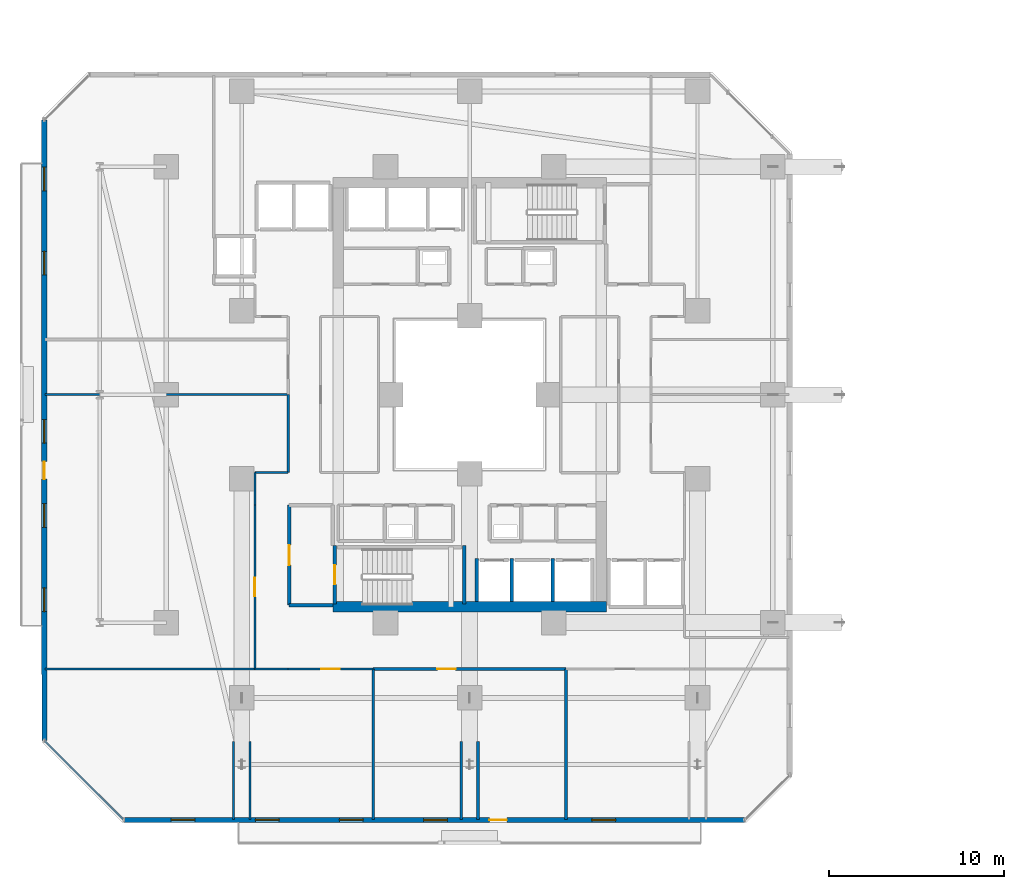
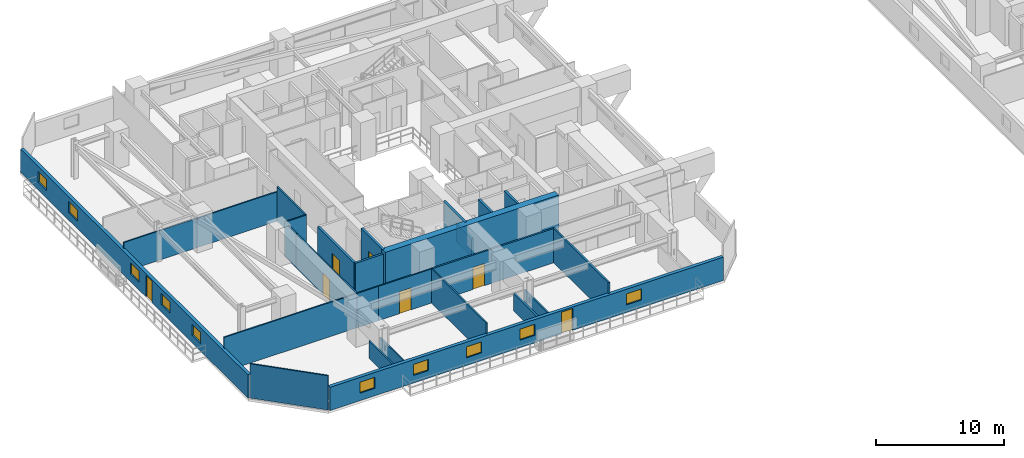
# One storey, part 21 of 36: 26 walls, 10 windows, 7 doors, 17 openings.
"""IFC4 building model written with IfcOpenShell, lengths in metres."""

from ifc_helpers import new_model, si_unit, direction, frame, frame_2d, origin, place, context, subcontext, project, spatial, rectangle, extrude, material, layer, layer_set, type_object, element, fill, save


model = new_model("IFC4")

# Units and contexts
model_context = context("Model", 3, precision=1e-05, world=origin(), true_north=direction((0.0, 1.0)))
body_context = subcontext(model_context, "Body", "Model", "MODEL_VIEW")
ifc_project = project(units=[si_unit("LENGTHUNIT", "METRE"), si_unit("AREAUNIT", "SQUARE_METRE"), si_unit("VOLUMEUNIT", "CUBIC_METRE"), si_unit("PLANEANGLEUNIT", "RADIAN"), si_unit("MASSUNIT", "GRAM", prefix="KILO")], contexts=[model_context])

# Site, building, storey
site_placement = place(None, origin())
site = spatial("IfcSite", under=ifc_project, at=site_placement, CompositionType="ELEMENT")
building_placement = place(site_placement, origin())
building = spatial("IfcBuilding", under=site, at=building_placement, Name="Thornwick Lancets Civic Towers", CompositionType="ELEMENT")
storey_placement = place(building_placement, frame((0.0, 0.0, 45.89990234375)))
storey = spatial("IfcBuildingStorey", under=building, at=storey_placement, Name="L11", CompositionType="ELEMENT", Elevation=45.89990234375)

# Walls
ifc_material_1 = material(Name="Concrete blockwork C40/50", Category="masonry")
ifc_layer_1 = layer(ifc_material_1, 0.199951171875, Name="Concrete blockwork C40/50")
ifc_layer_set_1 = layer_set([ifc_layer_1], Name="Concrete blockwork C40/50")
wall_type_1 = type_object("IfcWallType", Name="WALL_COMP_200", PredefinedType="STANDARD", material=ifc_layer_set_1)
wall_1_placement = place(storey_placement, frame((27.89990234375, 15.2119140625, 0.0), z_axis=(0.0, 0.0, 1.0), x_axis=(0.0, 1.0, 0.0)))
element("IfcWall", 1, at=wall_1_placement, inside=storey, type_object=wall_type_1, Name="L11 Hoistway Shaft Wall FL-A1 E", PredefinedType="STANDARD", context=body_context, shape_type="SweptSolid", body=[
    extrude(rectangle(XDim=2.43603515625, YDim=0.199951171875, at=frame_2d((1.218017578125, 0.0))), origin(), (0.0, 0.0, 1.0), 3.260009765625),
])
wall_2_placement = place(storey_placement, frame((25.89990234375, 15.2119140625, 0.0), z_axis=(0.0, 0.0, 1.0), x_axis=(0.0, 1.0, 0.0)))
element("IfcWall", 2, at=wall_2_placement, inside=storey, type_object=wall_type_1, Name="L11 Hoistway Shaft Wall FL-A1 W", PredefinedType="STANDARD", context=body_context, shape_type="SweptSolid", body=[
    extrude(rectangle(XDim=2.43603515625, YDim=0.199951171875, at=frame_2d((1.218017578125, 0.0))), origin(), (0.0, 0.0, 1.0), 1.68505859375),
])
wall_3_placement = place(storey_placement, frame((30.25, 15.2119140625, 0.0), z_axis=(0.0, 0.0, 1.0), x_axis=(0.0, 1.0, 0.0)))
element("IfcWall", 3, at=wall_3_placement, inside=storey, type_object=wall_type_1, Name="L11 Hoistway Shaft Wall PL-AH1 E", PredefinedType="STANDARD", context=body_context, shape_type="SweptSolid", body=[
    extrude(rectangle(XDim=2.43603515625, YDim=0.199951171875, at=frame_2d((1.218017578125, 0.0))), origin(), (0.0, 0.0, 1.0), 3.260009765625),
])
wall_4_placement = place(storey_placement, frame((15.199951171875, 15.0, 0.0), z_axis=(0.0, 0.0, 1.0), x_axis=(1.0, 0.0, 0.0)))
element("IfcWall", 4, at=wall_4_placement, inside=storey, type_object=wall_type_1, Name="L11 Partition L11-A-FFLOB1 E1", PredefinedType="STANDARD", context=body_context, shape_type="SweptSolid", body=[
    extrude(rectangle(XDim=2.5, YDim=0.199951171875, at=frame_2d((1.25, 0.0))), origin(), (0.0, 0.0, 1.0), 3.260009765625),
])

# Wall, opening, door
wall_5_placement = place(storey_placement, frame((15.199951171875, 20.699951171875, 0.0), z_axis=(0.0, 0.0, 1.0), x_axis=(0.0, -1.0, 0.0)))
wall_5 = element("IfcWall", 5, at=wall_5_placement, inside=storey, type_object=wall_type_1, Name="L11 Partition L11-A-FFLOB1 E4", PredefinedType="STANDARD", context=body_context, shape_type="SweptSolid", body=[
    extrude(rectangle(XDim=5.699951171875, YDim=0.199951171875, at=frame_2d((2.85009765625, 0.0))), origin(), (0.0, 0.0, 1.0), 3.260009765625),
])
opening_1_placement = place(wall_5_placement, frame((2.27490234375, 0.0, 0.0)))
opening_1 = element("IfcOpeningElement", 6, at=opening_1_placement, cuts=wall_5, Name="Opening D-L11-0537", PredefinedType="OPENING", context=body_context, shape_type="SweptSolid", body=[
    extrude(rectangle(XDim=1.14990234375, YDim=2.10009765625, at=frame_2d((0.574951171875, 1.050048828125))), frame((0.0, 0.10986328125, 0.0), z_axis=(0.0, -1.0, 0.0), x_axis=(1.0, 0.0, 0.0)), (0.0, 0.0, 1.0), 0.219970703125),
])
ifc_material_2 = material(Name="Glazed fire-resisting steel", Category="steel")
door_type_1 = type_object("IfcDoorType", Name="DOOR_LOBBY_FD60", OperationType="NOTDEFINED", PredefinedType="DOOR", material=ifc_material_2)
door_1_placement = place(opening_1_placement, origin())
door_1 = element("IfcDoor", 7, at=door_1_placement, inside=storey, type_object=door_type_1, Name="L11 South Firefighting Lobby 1 Door", OperationType="SINGLE_SWING_RIGHT", OverallHeight=2.10009765625, OverallWidth=1.14990234375, PredefinedType="DOOR", context=body_context, shape_type="SweptSolid", body=[
    extrude(rectangle(XDim=1.14990234375, YDim=2.10009765625, at=frame_2d((0.574951171875, 1.050048828125))), frame((0.0, 0.02490234375, 0.0), z_axis=(0.0, -1.0, 0.0), x_axis=(1.0, 0.0, 0.0)), (0.0, 0.0, 1.0), 0.050048828125),
])
fill(opening_1, door_1)

# Wall
ifc_material_3 = material(Name="Concrete C60/75", Category="concrete")
ifc_layer_2 = layer(ifc_material_3, 0.60009765625, Name="Concrete C60/75")
ifc_layer_set_2 = layer_set([ifc_layer_2], Name="Concrete C60/75")
wall_type_2 = type_object("IfcWallType", Name="WALL_CORE_600", PredefinedType="SHEAR", material=ifc_layer_set_2)
wall_6_placement = place(storey_placement, frame((17.699951171875, 14.89990234375, 0.0), z_axis=(0.0, 0.0, 1.0), x_axis=(1.0, 0.0, 0.0)))
element("IfcWall", 8, at=wall_6_placement, inside=storey, type_object=wall_type_2, Name="L11 Split Core A1 Shear Wall S", PredefinedType="SHEAR", context=body_context, shape_type="SweptSolid", body=[
    extrude(rectangle(XDim=15.60009765625, YDim=0.60009765625, at=frame_2d((7.800048828125, 0.0))), origin(), (0.0, 0.0, 1.0), 3.60009765625),
])

# Wall, openings, door, windows
ifc_material_4 = material(Name="Insulated russet terracotta rainscreen on concrete C40/50", Category="masonry")
ifc_layer_3 = layer(ifc_material_4, 0.300048828125, Name="Insulated russet terracotta rainscreen on concrete C40/50")
ifc_layer_set_3 = layer_set([ifc_layer_3], Name="Insulated russet terracotta rainscreen on concrete C40/50")
wall_type_3 = type_object("IfcWallType", Name="WALL_EXT_RUSSET_300", PredefinedType="STANDARD", material=ifc_layer_set_3)
wall_7_placement = place(storey_placement, frame((5.775390625, 2.741455078125, 0.0), z_axis=(0.0, 0.0, 1.0), x_axis=(0.999999983929, -0.00017928314, 0.0)))
wall_7 = element("IfcWall", 9, at=wall_7_placement, inside=storey, type_object=wall_type_3, Name="L11 Tower A Terracotta Facade Wall E0", PredefinedType="STANDARD", context=body_context, shape_type="SweptSolid", body=[
    extrude(rectangle(XDim=35.40576171875, YDim=0.300048828125, at=frame_2d((17.702880859375, 0.0))), origin(), (0.0, 0.0, 1.0), 2.22021484375),
])
opening_2_placement = place(wall_7_placement, frame((20.85302734375, 0.0, 0.0)))
opening_2 = element("IfcOpeningElement", 10, at=opening_2_placement, cuts=wall_7, Name="Opening D-BL-L11-AS", PredefinedType="OPENING", context=body_context, shape_type="SweptSolid", body=[
    extrude(rectangle(XDim=1.0, YDim=2.080078125, at=frame_2d((0.5, 1.0400390625))), frame((0.0, 0.16015625, 0.0), z_axis=(0.0, -1.0, 0.0), x_axis=(1.0, 0.0, 0.0)), (0.0, 0.0, 1.0), 0.320068359375),
])
opening_3_placement = place(wall_7_placement, frame((2.699951171875, 0.0, 0.719970703125)))
opening_3 = element("IfcOpeningElement", 11, at=opening_3_placement, cuts=wall_7, Name="Opening WL-03", PredefinedType="OPENING", context=body_context, shape_type="SweptSolid", body=[
    extrude(rectangle(XDim=1.35009765625, YDim=1.050048828125, at=frame_2d((0.675048828125, 0.52490234375))), frame((0.0, 0.16015625, 0.0), z_axis=(0.0, -1.0, 0.0), x_axis=(1.0, 0.0, 0.0)), (0.0, 0.0, 1.0), 0.320068359375),
])
opening_4_placement = place(wall_7_placement, frame((7.5, 0.0, 0.719970703125)))
opening_4 = element("IfcOpeningElement", 12, at=opening_4_placement, cuts=wall_7, Name="Opening WL-03", PredefinedType="OPENING", context=body_context, shape_type="SweptSolid", body=[
    extrude(rectangle(XDim=1.35009765625, YDim=1.050048828125, at=frame_2d((0.675048828125, 0.52490234375))), frame((0.0, 0.16015625, 0.0), z_axis=(0.0, -1.0, 0.0), x_axis=(1.0, 0.0, 0.0)), (0.0, 0.0, 1.0), 0.320068359375),
])
opening_5_placement = place(wall_7_placement, frame((12.300048828125, 0.0, 0.719970703125)))
opening_5 = element("IfcOpeningElement", 13, at=opening_5_placement, cuts=wall_7, Name="Opening WL-03", PredefinedType="OPENING", context=body_context, shape_type="SweptSolid", body=[
    extrude(rectangle(XDim=1.35009765625, YDim=1.050048828125, at=frame_2d((0.675048828125, 0.52490234375))), frame((0.0, 0.16015625, 0.0), z_axis=(0.0, -1.0, 0.0), x_axis=(1.0, 0.0, 0.0)), (0.0, 0.0, 1.0), 0.320068359375),
])
opening_6_placement = place(wall_7_placement, frame((17.10009765625, 0.0, 0.719970703125)))
opening_6 = element("IfcOpeningElement", 14, at=opening_6_placement, cuts=wall_7, Name="Opening WL-03", PredefinedType="OPENING", context=body_context, shape_type="SweptSolid", body=[
    extrude(rectangle(XDim=1.35009765625, YDim=1.050048828125, at=frame_2d((0.675048828125, 0.52490234375))), frame((0.0, 0.16015625, 0.0), z_axis=(0.0, -1.0, 0.0), x_axis=(1.0, 0.0, 0.0)), (0.0, 0.0, 1.0), 0.320068359375),
])
opening_7_placement = place(wall_7_placement, frame((26.699951171875, 0.0, 0.719970703125)))
opening_7 = element("IfcOpeningElement", 15, at=opening_7_placement, cuts=wall_7, Name="Opening WL-03", PredefinedType="OPENING", context=body_context, shape_type="SweptSolid", body=[
    extrude(rectangle(XDim=1.35009765625, YDim=1.050048828125, at=frame_2d((0.675048828125, 0.52490234375))), frame((0.0, 0.16015625, 0.0), z_axis=(0.0, -1.0, 0.0), x_axis=(1.0, 0.0, 0.0)), (0.0, 0.0, 1.0), 0.320068359375),
])
ifc_material_5 = material(Name="Thermally broken glazed loggia doorset")
door_type_2 = type_object("IfcDoorType", Name="DOOR_BALC_1000", OperationType="NOTDEFINED", PredefinedType="DOOR", material=ifc_material_5)
door_2_placement = place(opening_2_placement, origin())
door_2 = element("IfcDoor", 16, at=door_2_placement, inside=storey, type_object=door_type_2, Name="L11 Tower A Loggia Balcony Door S", OperationType="SINGLE_SWING_RIGHT", OverallHeight=2.080078125, OverallWidth=1.0, PredefinedType="DOOR", context=body_context, shape_type="SweptSolid", body=[
    extrude(rectangle(XDim=1.0, YDim=2.080078125, at=frame_2d((0.5, 1.0400390625))), frame((0.0, 0.02490234375, 0.0), z_axis=(0.0, -1.0, 0.0), x_axis=(1.0, 0.0, 0.0)), (0.0, 0.0, 1.0), 0.050048828125),
])
fill(opening_2, door_2)
ifc_material_6 = material(Name="Clear low-e double glazing clerestory lancet", Category="glass")
window_type = type_object("IfcWindowType", Name="WIN_LANCET_1350", PartitioningType="SINGLE_PANEL", PredefinedType="WINDOW", material=ifc_material_6)
window_1_placement = place(opening_3_placement, origin())
window_1 = element("IfcWindow", 17, at=window_1_placement, inside=storey, type_object=window_type, Name="L11 Tower A Staggered Lancet Window E0-1", OverallHeight=1.050048828125, OverallWidth=1.35009765625, PartitioningType="SINGLE_PANEL", PredefinedType="WINDOW", context=body_context, shape_type="SweptSolid", body=[
    extrude(rectangle(XDim=1.35009765625, YDim=1.050048828125, at=frame_2d((0.675048828125, 0.52490234375))), frame((0.0, 0.030029296875, 0.0), z_axis=(0.0, -1.0, 0.0), x_axis=(1.0, 0.0, 0.0)), (0.0, 0.0, 1.0), 0.06005859375),
])
fill(opening_3, window_1)
window_2_placement = place(opening_4_placement, origin())
window_2 = element("IfcWindow", 18, at=window_2_placement, inside=storey, type_object=window_type, Name="L11 Tower A Staggered Lancet Window E0-2", OverallHeight=1.050048828125, OverallWidth=1.35009765625, PartitioningType="SINGLE_PANEL", PredefinedType="WINDOW", context=body_context, shape_type="SweptSolid", body=[
    extrude(rectangle(XDim=1.35009765625, YDim=1.050048828125, at=frame_2d((0.675048828125, 0.52490234375))), frame((0.0, 0.030029296875, 0.0), z_axis=(0.0, -1.0, 0.0), x_axis=(1.0, 0.0, 0.0)), (0.0, 0.0, 1.0), 0.06005859375),
])
fill(opening_4, window_2)
window_3_placement = place(opening_5_placement, origin())
window_3 = element("IfcWindow", 19, at=window_3_placement, inside=storey, type_object=window_type, Name="L11 Tower A Staggered Lancet Window E0-3", OverallHeight=1.050048828125, OverallWidth=1.35009765625, PartitioningType="SINGLE_PANEL", PredefinedType="WINDOW", context=body_context, shape_type="SweptSolid", body=[
    extrude(rectangle(XDim=1.35009765625, YDim=1.050048828125, at=frame_2d((0.675048828125, 0.52490234375))), frame((0.0, 0.030029296875, 0.0), z_axis=(0.0, -1.0, 0.0), x_axis=(1.0, 0.0, 0.0)), (0.0, 0.0, 1.0), 0.06005859375),
])
fill(opening_5, window_3)
window_4_placement = place(opening_6_placement, origin())
window_4 = element("IfcWindow", 20, at=window_4_placement, inside=storey, type_object=window_type, Name="L11 Tower A Staggered Lancet Window E0-4", OverallHeight=1.050048828125, OverallWidth=1.35009765625, PartitioningType="SINGLE_PANEL", PredefinedType="WINDOW", context=body_context, shape_type="SweptSolid", body=[
    extrude(rectangle(XDim=1.35009765625, YDim=1.050048828125, at=frame_2d((0.675048828125, 0.52490234375))), frame((0.0, 0.030029296875, 0.0), z_axis=(0.0, -1.0, 0.0), x_axis=(1.0, 0.0, 0.0)), (0.0, 0.0, 1.0), 0.06005859375),
])
fill(opening_6, window_4)
window_5_placement = place(opening_7_placement, origin())
window_5 = element("IfcWindow", 21, at=window_5_placement, inside=storey, type_object=window_type, Name="L11 Tower A Staggered Lancet Window E0-5", OverallHeight=1.050048828125, OverallWidth=1.35009765625, PartitioningType="SINGLE_PANEL", PredefinedType="WINDOW", context=body_context, shape_type="SweptSolid", body=[
    extrude(rectangle(XDim=1.35009765625, YDim=1.050048828125, at=frame_2d((0.675048828125, 0.52490234375))), frame((0.0, 0.030029296875, 0.0), z_axis=(0.0, -1.0, 0.0), x_axis=(1.0, 0.0, 0.0)), (0.0, 0.0, 1.0), 0.06005859375),
])
fill(opening_7, window_5)

wall_8_placement = place(storey_placement, frame((1.235107421875, 42.68115234375, 0.0), z_axis=(0.0, 0.0, 1.0), x_axis=(0.00017928314, -0.999999983929, 0.0)))
wall_8 = element("IfcWall", 22, at=wall_8_placement, inside=storey, type_object=wall_type_3, Name="L11 Tower A Terracotta Facade Wall E6", PredefinedType="STANDARD", context=body_context, shape_type="SweptSolid", body=[
    extrude(rectangle(XDim=35.40576171875, YDim=0.300048828125, at=frame_2d((17.702880859375, 0.0))), origin(), (0.0, 0.0, 1.0), 2.22021484375),
])
opening_8_placement = place(wall_8_placement, frame((19.5029296875, 0.0, 0.0)))
opening_8 = element("IfcOpeningElement", 23, at=opening_8_placement, cuts=wall_8, Name="Opening D-BL-L11-AW", PredefinedType="OPENING", context=body_context, shape_type="SweptSolid", body=[
    extrude(rectangle(XDim=1.0, YDim=2.080078125, at=frame_2d((0.5, 1.0400390625))), frame((0.0, 0.16015625, 0.0), z_axis=(0.0, -1.0, 0.0), x_axis=(1.0, 0.0, 0.0)), (0.0, 0.0, 1.0), 0.320068359375),
])
opening_9_placement = place(wall_8_placement, frame((2.699951171875, 0.0, 0.719970703125)))
opening_9 = element("IfcOpeningElement", 24, at=opening_9_placement, cuts=wall_8, Name="Opening WL-03", PredefinedType="OPENING", context=body_context, shape_type="SweptSolid", body=[
    extrude(rectangle(XDim=1.35009765625, YDim=1.050048828125, at=frame_2d((0.675048828125, 0.52490234375))), frame((0.0, 0.16015625, 0.0), z_axis=(0.0, -1.0, 0.0), x_axis=(1.0, 0.0, 0.0)), (0.0, 0.0, 1.0), 0.320068359375),
])
opening_10_placement = place(wall_8_placement, frame((7.5, 0.0, 0.719970703125)))
opening_10 = element("IfcOpeningElement", 25, at=opening_10_placement, cuts=wall_8, Name="Opening WL-03", PredefinedType="OPENING", context=body_context, shape_type="SweptSolid", body=[
    extrude(rectangle(XDim=1.35009765625, YDim=1.050048828125, at=frame_2d((0.675048828125, 0.52490234375))), frame((0.0, 0.16015625, 0.0), z_axis=(0.0, -1.0, 0.0), x_axis=(1.0, 0.0, 0.0)), (0.0, 0.0, 1.0), 0.320068359375),
])
opening_11_placement = place(wall_8_placement, frame((17.10009765625, 0.0, 0.719970703125)))
opening_11 = element("IfcOpeningElement", 26, at=opening_11_placement, cuts=wall_8, Name="Opening WL-03", PredefinedType="OPENING", context=body_context, shape_type="SweptSolid", body=[
    extrude(rectangle(XDim=1.35009765625, YDim=1.050048828125, at=frame_2d((0.675048828125, 0.52490234375))), frame((0.0, 0.16015625, 0.0), z_axis=(0.0, -1.0, 0.0), x_axis=(1.0, 0.0, 0.0)), (0.0, 0.0, 1.0), 0.320068359375),
])
opening_12_placement = place(wall_8_placement, frame((21.89990234375, 0.0, 0.719970703125)))
opening_12 = element("IfcOpeningElement", 27, at=opening_12_placement, cuts=wall_8, Name="Opening WL-03", PredefinedType="OPENING", context=body_context, shape_type="SweptSolid", body=[
    extrude(rectangle(XDim=1.35009765625, YDim=1.050048828125, at=frame_2d((0.675048828125, 0.52490234375))), frame((0.0, 0.16015625, 0.0), z_axis=(0.0, -1.0, 0.0), x_axis=(1.0, 0.0, 0.0)), (0.0, 0.0, 1.0), 0.320068359375),
])
opening_13_placement = place(wall_8_placement, frame((26.699951171875, 0.0, 0.719970703125)))
opening_13 = element("IfcOpeningElement", 28, at=opening_13_placement, cuts=wall_8, Name="Opening WL-03", PredefinedType="OPENING", context=body_context, shape_type="SweptSolid", body=[
    extrude(rectangle(XDim=1.35009765625, YDim=1.050048828125, at=frame_2d((0.675048828125, 0.52490234375))), frame((0.0, 0.16015625, 0.0), z_axis=(0.0, -1.0, 0.0), x_axis=(1.0, 0.0, 0.0)), (0.0, 0.0, 1.0), 0.320068359375),
])
door_3_placement = place(opening_8_placement, origin())
door_3 = element("IfcDoor", 29, at=door_3_placement, inside=storey, type_object=door_type_2, Name="L11 Tower A Loggia Balcony Door W", OperationType="SINGLE_SWING_RIGHT", OverallHeight=2.080078125, OverallWidth=1.0, PredefinedType="DOOR", context=body_context, shape_type="SweptSolid", body=[
    extrude(rectangle(XDim=1.0, YDim=2.080078125, at=frame_2d((0.5, 1.0400390625))), frame((0.0, 0.02490234375, 0.0), z_axis=(0.0, -1.0, 0.0), x_axis=(1.0, 0.0, 0.0)), (0.0, 0.0, 1.0), 0.050048828125),
])
fill(opening_8, door_3)
window_6_placement = place(opening_9_placement, origin())
window_6 = element("IfcWindow", 30, at=window_6_placement, inside=storey, type_object=window_type, Name="L11 Tower A Staggered Lancet Window E6-1", OverallHeight=1.050048828125, OverallWidth=1.35009765625, PartitioningType="SINGLE_PANEL", PredefinedType="WINDOW", context=body_context, shape_type="SweptSolid", body=[
    extrude(rectangle(XDim=1.35009765625, YDim=1.050048828125, at=frame_2d((0.675048828125, 0.52490234375))), frame((0.0, 0.030029296875, 0.0), z_axis=(0.0, -1.0, 0.0), x_axis=(1.0, 0.0, 0.0)), (0.0, 0.0, 1.0), 0.06005859375),
])
fill(opening_9, window_6)
window_7_placement = place(opening_10_placement, origin())
window_7 = element("IfcWindow", 31, at=window_7_placement, inside=storey, type_object=window_type, Name="L11 Tower A Staggered Lancet Window E6-2", OverallHeight=1.050048828125, OverallWidth=1.35009765625, PartitioningType="SINGLE_PANEL", PredefinedType="WINDOW", context=body_context, shape_type="SweptSolid", body=[
    extrude(rectangle(XDim=1.35009765625, YDim=1.050048828125, at=frame_2d((0.675048828125, 0.52490234375))), frame((0.0, 0.030029296875, 0.0), z_axis=(0.0, -1.0, 0.0), x_axis=(1.0, 0.0, 0.0)), (0.0, 0.0, 1.0), 0.06005859375),
])
fill(opening_10, window_7)
window_8_placement = place(opening_11_placement, origin())
window_8 = element("IfcWindow", 32, at=window_8_placement, inside=storey, type_object=window_type, Name="L11 Tower A Staggered Lancet Window E6-3", OverallHeight=1.050048828125, OverallWidth=1.35009765625, PartitioningType="SINGLE_PANEL", PredefinedType="WINDOW", context=body_context, shape_type="SweptSolid", body=[
    extrude(rectangle(XDim=1.35009765625, YDim=1.050048828125, at=frame_2d((0.675048828125, 0.52490234375))), frame((0.0, 0.030029296875, 0.0), z_axis=(0.0, -1.0, 0.0), x_axis=(1.0, 0.0, 0.0)), (0.0, 0.0, 1.0), 0.06005859375),
])
fill(opening_11, window_8)
window_9_placement = place(opening_12_placement, origin())
window_9 = element("IfcWindow", 33, at=window_9_placement, inside=storey, type_object=window_type, Name="L11 Tower A Staggered Lancet Window E6-4", OverallHeight=1.050048828125, OverallWidth=1.35009765625, PartitioningType="SINGLE_PANEL", PredefinedType="WINDOW", context=body_context, shape_type="SweptSolid", body=[
    extrude(rectangle(XDim=1.35009765625, YDim=1.050048828125, at=frame_2d((0.675048828125, 0.52490234375))), frame((0.0, 0.030029296875, 0.0), z_axis=(0.0, -1.0, 0.0), x_axis=(1.0, 0.0, 0.0)), (0.0, 0.0, 1.0), 0.06005859375),
])
fill(opening_12, window_9)
window_10_placement = place(opening_13_placement, origin())
window_10 = element("IfcWindow", 34, at=window_10_placement, inside=storey, type_object=window_type, Name="L11 Tower A Staggered Lancet Window E6-5", OverallHeight=1.050048828125, OverallWidth=1.35009765625, PartitioningType="SINGLE_PANEL", PredefinedType="WINDOW", context=body_context, shape_type="SweptSolid", body=[
    extrude(rectangle(XDim=1.35009765625, YDim=1.050048828125, at=frame_2d((0.675048828125, 0.52490234375))), frame((0.0, 0.030029296875, 0.0), z_axis=(0.0, -1.0, 0.0), x_axis=(1.0, 0.0, 0.0)), (0.0, 0.0, 1.0), 0.06005859375),
])
fill(opening_13, window_10)

# Walls
ifc_material_7 = material(Name="Acoustic gypsum board partition")
ifc_layer_4 = layer(ifc_material_7, 0.1201171875, Name="Acoustic gypsum board partition")
ifc_layer_set_4 = layer_set([ifc_layer_4], Name="Acoustic gypsum board partition")
wall_type_4 = type_object("IfcWallType", Name="WALL_PART_120", PredefinedType="PARTITIONING", material=ifc_layer_set_4)
wall_9_placement = place(storey_placement, frame((15.14990234375, 22.550048828125, 0.0), z_axis=(0.0, 0.0, 1.0), x_axis=(-1.0, 0.0, 0.0)))
element("IfcWall", 35, at=wall_9_placement, inside=storey, type_object=wall_type_4, Name="L11 Partition L11-A-W1 E1", PredefinedType="PARTITIONING", context=body_context, shape_type="SweptSolid", body=[
    extrude(rectangle(XDim=1.89990234375, YDim=0.1201171875, at=frame_2d((0.949951171875, 0.0))), origin(), (0.0, 0.0, 1.0), 3.260009765625),
])
wall_10_placement = place(storey_placement, frame((13.25, 22.550048828125, 0.0), z_axis=(0.0, 0.0, 1.0), x_axis=(0.0, -1.0, 0.0)))
element("IfcWall", 36, at=wall_10_placement, inside=storey, type_object=wall_type_4, Name="L11 Partition L11-A-W1 E2", PredefinedType="PARTITIONING", context=body_context, shape_type="SweptSolid", body=[
    extrude(rectangle(XDim=1.85009765625, YDim=0.1201171875, at=frame_2d((0.925048828125, 0.0))), origin(), (0.0, 0.0, 1.0), 3.260009765625),
])

# Wall, opening, door
wall_11_placement = place(storey_placement, frame((13.25, 20.699951171875, 0.0), z_axis=(0.0, 0.0, 1.0), x_axis=(0.0, -1.0, 0.0)))
wall_11 = element("IfcWall", 37, at=wall_11_placement, inside=storey, type_object=wall_type_4, Name="L11 Partition L11-A-W1 E3", PredefinedType="PARTITIONING", context=body_context, shape_type="SweptSolid", body=[
    extrude(rectangle(XDim=9.349853515625, YDim=0.1201171875, at=frame_2d((4.6748046875, 0.0))), origin(), (0.0, 0.0, 1.0), 3.260009765625),
])
opening_14_placement = place(wall_11_placement, frame((4.14990234375, 0.0, 0.0)))
opening_14 = element("IfcOpeningElement", 38, at=opening_14_placement, cuts=wall_11, Name="Opening D-L11-0561", PredefinedType="OPENING", context=body_context, shape_type="SweptSolid", body=[
    extrude(rectangle(XDim=1.050048828125, YDim=2.10009765625, at=frame_2d((0.52490234375, 1.050048828125))), frame((0.0, 0.070068359375, 0.0), z_axis=(0.0, -1.0, 0.0), x_axis=(1.0, 0.0, 0.0)), (0.0, 0.0, 1.0), 0.14013671875),
])
ifc_material_8 = material(Name="Glazed European oak executive doorset")
door_type_3 = type_object("IfcDoorType", Name="DOOR_OFFICE_1050", OperationType="NOTDEFINED", PredefinedType="DOOR", material=ifc_material_8)
door_4_placement = place(opening_14_placement, origin())
door_4 = element("IfcDoor", 39, at=door_4_placement, inside=storey, type_object=door_type_3, Name="L11 Tower A Ministry Directorate Office W1 Door", OperationType="SINGLE_SWING_RIGHT", OverallHeight=2.10009765625, OverallWidth=1.050048828125, PredefinedType="DOOR", context=body_context, shape_type="SweptSolid", body=[
    extrude(rectangle(XDim=1.050048828125, YDim=2.10009765625, at=frame_2d((0.52490234375, 1.050048828125))), frame((0.0, 0.02490234375, 0.0), z_axis=(0.0, -1.0, 0.0), x_axis=(1.0, 0.0, 0.0)), (0.0, 0.0, 1.0), 0.050048828125),
])
fill(opening_14, door_4)

# Walls
wall_12_placement = place(storey_placement, frame((13.25, 11.35009765625, 0.0), z_axis=(0.0, 0.0, 1.0), x_axis=(-1.0, 0.0, 0.0)))
element("IfcWall", 40, at=wall_12_placement, inside=storey, type_object=wall_type_4, Name="L11 Partition L11-A-W1 E4", PredefinedType="PARTITIONING", context=body_context, shape_type="SweptSolid", body=[
    extrude(rectangle(XDim=11.969970703125, YDim=0.1201171875, at=frame_2d((5.98486328125, 0.0))), origin(), (0.0, 0.0, 1.0), 3.260009765625),
])
wall_13_placement = place(storey_placement, frame((1.280029296875, 27.0, 0.0), z_axis=(0.0, 0.0, 1.0), x_axis=(1.0, 0.0, 0.0)))
element("IfcWall", 41, at=wall_13_placement, inside=storey, type_object=wall_type_4, Name="L11 Partition L11-A-W1 E6", PredefinedType="PARTITIONING", context=body_context, shape_type="SweptSolid", body=[
    extrude(rectangle(XDim=13.869873046875, YDim=0.1201171875, at=frame_2d((6.93505859375, 0.0))), origin(), (0.0, 0.0, 1.0), 2.8017578125),
])
wall_14_placement = place(storey_placement, frame((15.14990234375, 27.0, 0.0), z_axis=(0.0, 0.0, 1.0), x_axis=(0.0, -1.0, 0.0)))
element("IfcWall", 42, at=wall_14_placement, inside=storey, type_object=wall_type_4, Name="L11 Partition L11-A-W1 E7", PredefinedType="PARTITIONING", context=body_context, shape_type="SweptSolid", body=[
    extrude(rectangle(XDim=4.449951171875, YDim=0.1201171875, at=frame_2d((2.22509765625, 0.0))), origin(), (0.0, 0.0, 1.0), 3.260009765625),
])
for number, where, z_axis, x_axis, name in (
    (43, (12.97998046875, 2.780029296875, 0.0), (0.0, 0.0, 1.0), (0.0, 1.0, 0.0), "L11 Partition L11-A-S-OFF1 E2"),
    (44, (12.02001953125, 7.218505859375, 0.0), (0.0, 0.0, 1.0), (0.0, -1.0, 0.0), "L11 Partition L11-A-S-OFF1 E4"),
):
    element("IfcWall", number, at=place(storey_placement, frame(where, z_axis=z_axis, x_axis=x_axis)), inside=storey, type_object=wall_type_4, Name=name, PredefinedType="PARTITIONING", context=body_context, shape_type="SweptSolid", body=[
        extrude(rectangle(XDim=4.4384765625, YDim=0.1201171875, at=frame_2d((2.21923828125, 0.0))), origin(), (0.0, 0.0, 1.0), 1.68505859375),
    ])
wall_15_placement = place(storey_placement, frame((5.738525390625, 2.780029296875, 0.0), z_axis=(0.0, 0.0, 1.0), x_axis=(-0.707106781187, 0.707106781187, 0.0)))
element("IfcWall", 45, at=wall_15_placement, inside=storey, type_object=wall_type_4, Name="L11 Partition L11-A-S-OFF1 E6", PredefinedType="PARTITIONING", context=body_context, shape_type="SweptSolid", body=[
    extrude(rectangle(XDim=6.30517578125, YDim=0.1201171875, at=frame_2d((3.152587890625, 0.0))), origin(), (0.0, 0.0, 1.0), 3.260009765625),
])
wall_16_placement = place(storey_placement, frame((13.25, 11.35009765625, 0.0), z_axis=(0.0, 0.0, 1.0), x_axis=(1.0, 0.0, 0.0)))
element("IfcWall", 46, at=wall_16_placement, inside=storey, type_object=wall_type_4, Name="L11 Partition L11-A-S-OFF1 E9", PredefinedType="PARTITIONING", context=body_context, shape_type="SweptSolid", body=[
    extrude(rectangle(XDim=1.89990234375, YDim=0.1201171875, at=frame_2d((0.949951171875, 0.0))), origin(), (0.0, 0.0, 1.0), 3.260009765625),
])

# Wall, opening, door
wall_17_placement = place(storey_placement, frame((15.14990234375, 11.35009765625, 0.0), z_axis=(0.0, 0.0, 1.0), x_axis=(1.0, 0.0, 0.0)))
wall_17 = element("IfcWall", 47, at=wall_17_placement, inside=storey, type_object=wall_type_4, Name="L11 Partition L11-A-S-OFF1 E10", PredefinedType="PARTITIONING", context=body_context, shape_type="SweptSolid", body=[
    extrude(rectangle(XDim=4.85009765625, YDim=0.1201171875, at=frame_2d((2.425048828125, 0.0))), origin(), (0.0, 0.0, 1.0), 3.260009765625),
])
opening_15_placement = place(wall_17_placement, frame((1.89990234375, 0.0, 0.0)))
opening_15 = element("IfcOpeningElement", 48, at=opening_15_placement, cuts=wall_17, Name="Opening D-L11-0569", PredefinedType="OPENING", context=body_context, shape_type="SweptSolid", body=[
    extrude(rectangle(XDim=1.050048828125, YDim=2.10009765625, at=frame_2d((0.52490234375, 1.050048828125))), frame((0.0, 0.070068359375, 0.0), z_axis=(0.0, -1.0, 0.0), x_axis=(1.0, 0.0, 0.0)), (0.0, 0.0, 1.0), 0.14013671875),
])
door_5_placement = place(opening_15_placement, origin())
door_5 = element("IfcDoor", 49, at=door_5_placement, inside=storey, type_object=door_type_3, Name="L11 Tower A South-West Division Office Door", OperationType="SINGLE_SWING_RIGHT", OverallHeight=2.10009765625, OverallWidth=1.050048828125, PredefinedType="DOOR", context=body_context, shape_type="SweptSolid", body=[
    extrude(rectangle(XDim=1.050048828125, YDim=2.10009765625, at=frame_2d((0.52490234375, 1.050048828125))), frame((0.0, 0.02490234375, 0.0), z_axis=(0.0, -1.0, 0.0), x_axis=(1.0, 0.0, 0.0)), (0.0, 0.0, 1.0), 0.050048828125),
])
fill(opening_15, door_5)

# Walls
wall_18_placement = place(storey_placement, frame((20.0, 11.35009765625, 0.0), z_axis=(0.0, 0.0, 1.0), x_axis=(0.0, -1.0, 0.0)))
element("IfcWall", 50, at=wall_18_placement, inside=storey, type_object=wall_type_4, Name="L11 Partition L11-A-S-OFF1 E11", PredefinedType="PARTITIONING", context=body_context, shape_type="SweptSolid", body=[
    extrude(rectangle(XDim=8.570068359375, YDim=0.1201171875, at=frame_2d((4.28515625, 0.0))), origin(), (0.0, 0.0, 1.0), 3.260009765625),
])
ifc_material_9 = material(Name="Twin-stud acoustic gypsum board")
ifc_layer_5 = layer(ifc_material_9, 0.14990234375, Name="Twin-stud acoustic gypsum board")
ifc_layer_set_5 = layer_set([ifc_layer_5], Name="Twin-stud acoustic gypsum board")
wall_type_5 = type_object("IfcWallType", Name="WALL_PART_150", PredefinedType="PARTITIONING", material=ifc_layer_set_5)
wall_19_placement = place(storey_placement, frame((31.0, 11.35009765625, 0.0), z_axis=(0.0, 0.0, 1.0), x_axis=(0.0, -1.0, 0.0)))
element("IfcWall", 51, at=wall_19_placement, inside=storey, type_object=wall_type_5, Name="L11 Partition L11-A-S-ARCH E1", PredefinedType="PARTITIONING", context=body_context, shape_type="SweptSolid", body=[
    extrude(rectangle(XDim=8.570068359375, YDim=0.14990234375, at=frame_2d((4.28515625, 0.0))), origin(), (0.0, 0.0, 1.0), 3.260009765625),
])
for number, where, z_axis, x_axis, name in (
    (52, (25.97998046875, 2.780029296875, 0.0), (0.0, 0.0, 1.0), (0.0, 1.0, 0.0), "L11 Partition L11-A-S-ARCH E3"),
    (53, (25.02001953125, 7.218505859375, 0.0), (0.0, 0.0, 1.0), (0.0, -1.0, 0.0), "L11 Partition L11-A-S-ARCH E5"),
):
    element("IfcWall", number, at=place(storey_placement, frame(where, z_axis=z_axis, x_axis=x_axis)), inside=storey, type_object=wall_type_5, Name=name, PredefinedType="PARTITIONING", context=body_context, shape_type="SweptSolid", body=[
        extrude(rectangle(XDim=4.4384765625, YDim=0.14990234375, at=frame_2d((2.21923828125, 0.0))), origin(), (0.0, 0.0, 1.0), 1.68505859375),
    ])

# Wall, opening, door
wall_20_placement = place(storey_placement, frame((20.0, 11.35009765625, 0.0), z_axis=(0.0, 0.0, 1.0), x_axis=(1.0, 0.0, 0.0)))
wall_20 = element("IfcWall", 54, at=wall_20_placement, inside=storey, type_object=wall_type_5, Name="L11 Partition L11-A-S-ARCH E8", PredefinedType="PARTITIONING", context=body_context, shape_type="SweptSolid", body=[
    extrude(rectangle(XDim=11.0, YDim=0.14990234375, at=frame_2d((5.5, 0.0))), origin(), (0.0, 0.0, 1.0), 3.260009765625),
])
opening_16_placement = place(wall_20_placement, frame((3.655029296875, 0.0, 0.0)))
opening_16 = element("IfcOpeningElement", 55, at=opening_16_placement, cuts=wall_20, Name="Opening D-L11-0570", PredefinedType="OPENING", context=body_context, shape_type="SweptSolid", body=[
    extrude(rectangle(XDim=1.050048828125, YDim=2.10009765625, at=frame_2d((0.52490234375, 1.050048828125))), frame((0.0, 0.0849609375, 0.0), z_axis=(0.0, -1.0, 0.0), x_axis=(1.0, 0.0, 0.0)), (0.0, 0.0, 1.0), 0.169921875),
])
door_6_placement = place(opening_16_placement, origin())
door_6 = element("IfcDoor", 56, at=door_6_placement, inside=storey, type_object=door_type_3, Name="L11 Tower A Registry and Records Archive Door", OperationType="SINGLE_SWING_LEFT", OverallHeight=2.10009765625, OverallWidth=1.050048828125, PredefinedType="DOOR", context=body_context, shape_type="SweptSolid", body=[
    extrude(rectangle(XDim=1.050048828125, YDim=2.10009765625, at=frame_2d((0.52490234375, 1.050048828125))), frame((0.0, 0.02490234375, 0.0), z_axis=(0.0, -1.0, 0.0), x_axis=(1.0, 0.0, 0.0)), (0.0, 0.0, 1.0), 0.050048828125),
])
fill(opening_16, door_6)

ifc_material_10 = material(Name="Concrete C40/50", Category="concrete")
ifc_layer_6 = layer(ifc_material_10, 0.199951171875, Name="Concrete C40/50")
ifc_layer_set_6 = layer_set([ifc_layer_6], Name="Concrete C40/50")
wall_type_6 = type_object("IfcWallType", Name="WALL_SHAFT_200", PredefinedType="SHEAR", material=ifc_layer_set_6)
wall_21_placement = place(storey_placement, frame((17.800048828125, 15.050048828125, 0.0), z_axis=(0.0, 0.0, 1.0), x_axis=(0.0, 1.0, 0.0)))
wall_21 = element("IfcWall", 57, at=wall_21_placement, inside=storey, type_object=wall_type_6, Name="L11 ST-A1 Fire Stair Core Wall NEAR", PredefinedType="SHEAR", context=body_context, shape_type="SweptSolid", body=[
    extrude(rectangle(XDim=3.349853515625, YDim=0.199951171875, at=frame_2d((1.6748046875, 0.0))), origin(), (0.0, 0.0, 1.0), 3.60009765625),
])
opening_17_placement = place(wall_21_placement, frame((1.125, 0.0, 0.0)))
opening_17 = element("IfcOpeningElement", 58, at=opening_17_placement, cuts=wall_21, Name="Opening D-ST-A1-L11", PredefinedType="OPENING", context=body_context, shape_type="SweptSolid", body=[
    extrude(rectangle(XDim=1.10009765625, YDim=2.10009765625, at=frame_2d((0.550048828125, 1.050048828125))), frame((0.0, 0.10986328125, 0.0), z_axis=(0.0, -1.0, 0.0), x_axis=(1.0, 0.0, 0.0)), (0.0, 0.0, 1.0), 0.219970703125),
])
ifc_material_11 = material(Name="Fire-resisting steel and hardwood", Category="steel")
door_type_4 = type_object("IfcDoorType", Name="DOOR_STAIR_FD60", OperationType="NOTDEFINED", PredefinedType="DOOR", material=ifc_material_11)
door_7_placement = place(opening_17_placement, origin())
door_7 = element("IfcDoor", 59, at=door_7_placement, inside=storey, type_object=door_type_4, Name="L11 ST-A1 Exit Stair Door", OperationType="SINGLE_SWING_RIGHT", OverallHeight=2.10009765625, OverallWidth=1.10009765625, PredefinedType="DOOR", context=body_context, shape_type="SweptSolid", body=[
    extrude(rectangle(XDim=1.10009765625, YDim=2.10009765625, at=frame_2d((0.550048828125, 1.050048828125))), frame((0.0, 0.02490234375, 0.0), z_axis=(0.0, -1.0, 0.0), x_axis=(1.0, 0.0, 0.0)), (0.0, 0.0, 1.0), 0.050048828125),
])
fill(opening_17, door_7)

# Wall
wall_22_placement = place(storey_placement, frame((25.199951171875, 18.39990234375, 0.0), z_axis=(0.0, 0.0, 1.0), x_axis=(0.0, -1.0, 0.0)))
element("IfcWall", 60, at=wall_22_placement, inside=storey, type_object=wall_type_6, Name="L11 ST-A1 Fire Stair Core Wall FAR", PredefinedType="SHEAR", context=body_context, shape_type="SweptSolid", body=[
    extrude(rectangle(XDim=3.349853515625, YDim=0.199951171875, at=frame_2d((1.6748046875, 0.0))), origin(), (0.0, 0.0, 1.0), 3.60009765625),
])

save(model, "model.ifc")
